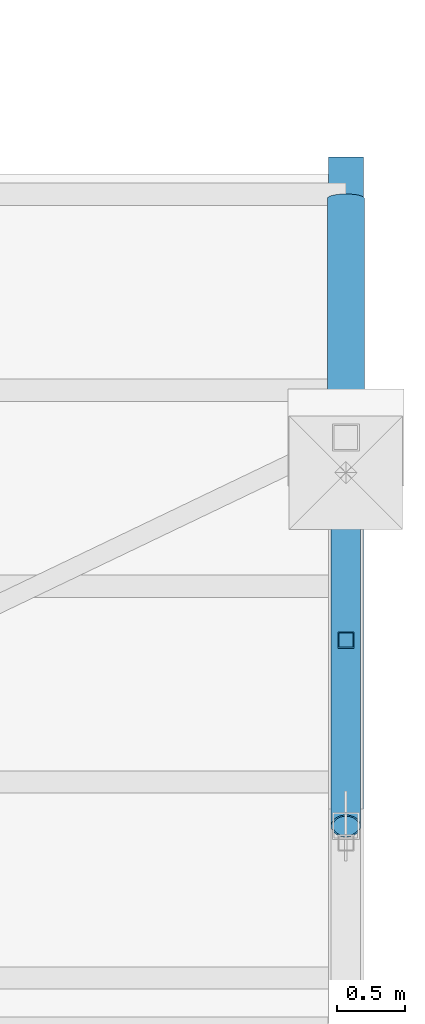
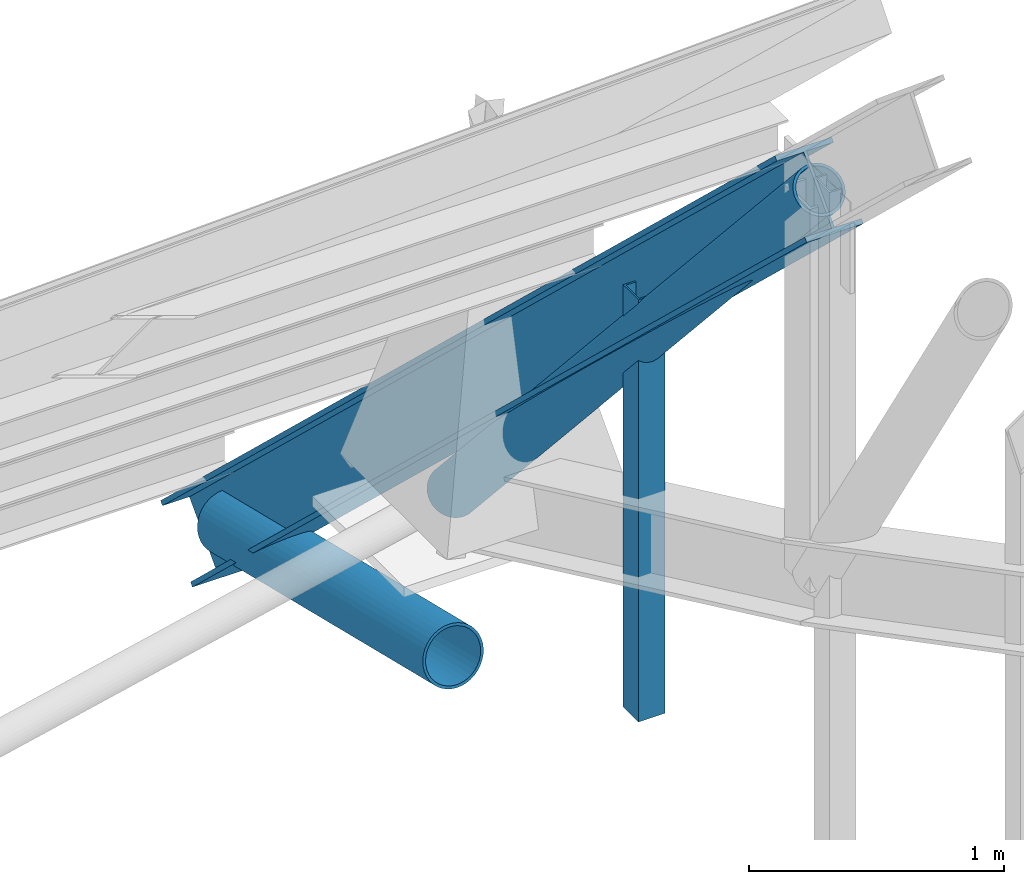
# One storey, part 11 of 33: 4 members.
"""IFC4 building model written with IfcOpenShell, lengths in metres."""

from ifc_helpers import new_model, si_unit, direction, frame, origin, origin_2d, place, context, subcontext, project, spatial, hollow_rectangle, hollow_circle, i_section, extrude, material, material_profile, profile_set, type_object, element, save


model = new_model("IFC4")

# Units and contexts
model_context = context("Model", 3, precision=1e-05, world=origin(), true_north=direction((0.0, 1.0)))
body_context = subcontext(model_context, "Body", "Model", "MODEL_VIEW")
ifc_project = project(units=[si_unit("LENGTHUNIT", "METRE"), si_unit("AREAUNIT", "SQUARE_METRE"), si_unit("VOLUMEUNIT", "CUBIC_METRE"), si_unit("PLANEANGLEUNIT", "RADIAN"), si_unit("MASSUNIT", "GRAM", prefix="KILO")], contexts=[model_context])

# Site, building, storey
site_placement = place(None, origin())
site = spatial("IfcSite", under=ifc_project, at=site_placement, CompositionType="ELEMENT")
building_placement = place(site_placement, origin())
building = spatial("IfcBuilding", under=site, at=building_placement, Name="Cumevento Cable Car Station", CompositionType="ELEMENT")
storey_placement = place(building_placement, frame((0.0, 0.0, 22.5)))
storey = spatial("IfcBuildingStorey", under=building, at=storey_placement, Name="RF", CompositionType="ELEMENT", Elevation=22.5)

# Members
ifc_material_1 = material(Name="Steel ASTM A572 Grade 50", Category="steel")
ifc_material_profile_1 = material_profile(ifc_material_1, hollow_circle(Radius=0.109619140625, WallThickness=0.012451171875, at=origin_2d()), Name="CHS219.1x12.5")
ifc_profile_set_1 = profile_set([ifc_material_profile_1], Name="Steel ASTM A572 Grade 50")
member_type_1 = type_object("IfcMemberType", Name="Framing Brace TD-01 CHS219.1x12.5", PredefinedType="BRACE", material=ifc_profile_set_1)
member_1_placement = place(storey_placement, frame((118.0, 56.5, 0.139892578125), z_axis=(0.0, -0.669655633009, 0.74267175332), x_axis=(1.0, 0.0, 0.0)))
element("IfcMember", 1, at=member_1_placement, inside=storey, type_object=member_type_1, Name="Boarding Hall Vault Arch Diagonal #223", PredefinedType="BRACE", context=body_context, shape_type="SweptSolid", body=[
    extrude(hollow_circle(Radius=0.109619140625, WallThickness=0.012451171875, at=origin_2d()), origin(), (0.0, 0.0, 1.0), 4.293212890625),
])
ifc_material_2 = material(Name="Steel ASTM A572 Grade 50", Category="steel")
ifc_material_profile_2 = material_profile(ifc_material_2, i_section(OverallWidth=0.257080078125, OverallDepth=0.363037109375, WebThickness=0.012939453125, FlangeThickness=0.021728515625, at=origin_2d()), Name="W360x122.0")
ifc_profile_set_2 = profile_set([ifc_material_profile_2], Name="Steel ASTM A572 Grade 50")
member_type_2 = type_object("IfcMemberType", Name="Framing Chord TC-01 W360x122.0", PredefinedType="CHORD", material=ifc_profile_set_2)
member_2_placement = place(storey_placement, frame((118.0, 53.625, 3.328369140625), z_axis=(0.0, 0.725363131924, -0.688366419028), x_axis=(-1.0, 0.0, 0.0)))
element("IfcMember", 2, at=member_2_placement, inside=storey, type_object=member_type_2, Name="Boarding Hall Vault Lower Rafter N #213", PredefinedType="CHORD", context=body_context, shape_type="SweptSolid", body=[
    extrude(i_section(OverallWidth=0.257080078125, OverallDepth=0.363037109375, WebThickness=0.012939453125, FlangeThickness=0.021728515625, at=origin_2d()), origin(), (0.0, 0.0, 1.0), 6.65185546875),
])
ifc_material_3 = material(Name="Steel ASTM A572 Grade 50", Category="steel")
ifc_material_profile_3 = material_profile(ifc_material_3, hollow_rectangle(XDim=0.1201171875, YDim=0.1201171875, WallThickness=0.008056640625, at=origin_2d()), Name="HSS120x120x8.0")
ifc_profile_set_3 = profile_set([ifc_material_profile_3], Name="Steel ASTM A572 Grade 50")
member_type_3 = type_object("IfcMemberType", Name="Framing Strut BR-03 HSS120x120x8.0", PredefinedType="STRUT", material=ifc_profile_set_3)
member_3_placement = place(storey_placement, frame((118.0, 55.0, 0.0), z_axis=(0.0, 0.0, 1.0), x_axis=(1.0, 0.0, 0.0)))
element("IfcMember", 3, at=member_3_placement, inside=storey, type_object=member_type_3, Name="Boarding Hall Gable Tracery Mullion #232", PredefinedType="STRUT", context=body_context, shape_type="SweptSolid", body=[
    extrude(hollow_rectangle(XDim=0.1201171875, YDim=0.1201171875, WallThickness=0.008056640625, at=origin_2d()), origin(), (0.0, 0.0, 1.0), 2.0234375),
])
ifc_material_4 = material(Name="Steel ASTM A572 Grade 50", Category="steel")
ifc_material_profile_4 = material_profile(ifc_material_4, hollow_circle(Radius=0.136474609375, WallThickness=0.012451171875, at=origin_2d()), Name="CHS273.0x12.5")
ifc_profile_set_4 = profile_set([ifc_material_profile_4], Name="Steel ASTM A572 Grade 50")
member_type_4 = type_object("IfcMemberType", Name="Framing Strut BR-04 CHS273.0x12.5", PredefinedType="STRUT", material=ifc_profile_set_4)
member_4_placement = place(storey_placement, frame((118.0, 56.5, -0.64990234375), z_axis=(0.0, 0.971775656246, -0.23590691793), x_axis=(-1.0, 0.0, 0.0)))
element("IfcMember", 4, at=member_4_placement, inside=storey, type_object=member_type_4, Name="Boarding Hall Vault Arch Diagonal #226", PredefinedType="STRUT", context=body_context, shape_type="SweptSolid", body=[
    extrude(hollow_circle(Radius=0.136474609375, WallThickness=0.012451171875, at=origin_2d()), origin(), (0.0, 0.0, 1.0), 1.821533203125),
])

save(model, "model.ifc")
